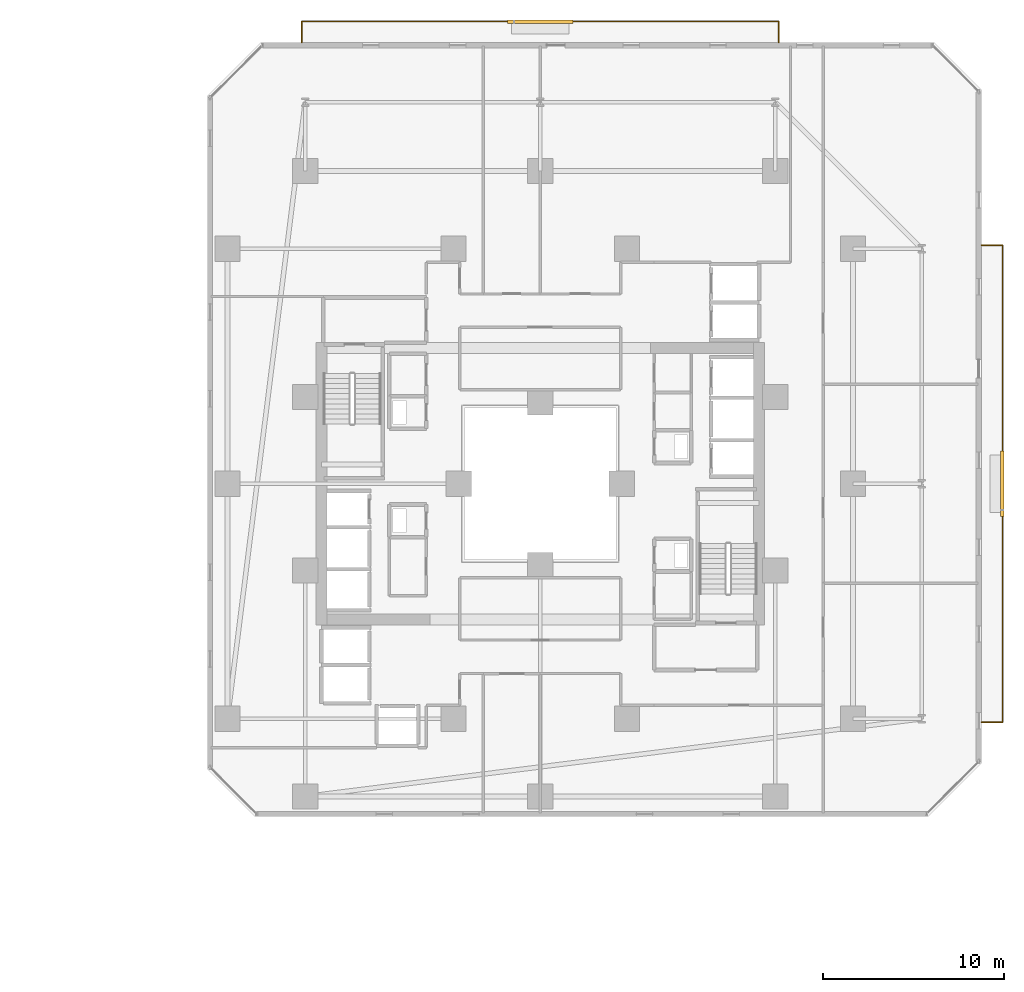
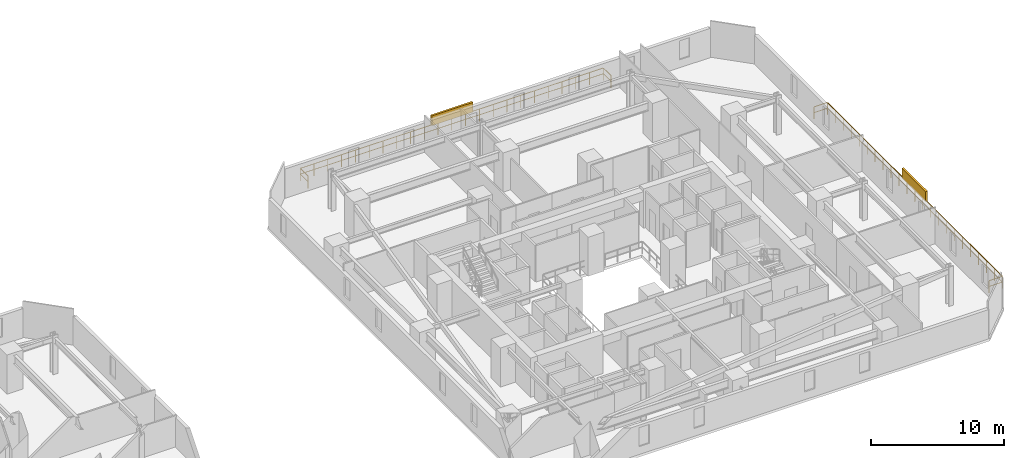
# One storey, part 35 of 35: 2 railings, 2 shading devices.
"""IFC4 building model written with IfcOpenShell, lengths in metres."""

from ifc_helpers import new_model, si_unit, direction, frame, origin, origin_2d, place, context, subcontext, project, spatial, rectangle, extrude, material, type_object, element, save


model = new_model("IFC4")

# Units and contexts
model_context = context("Model", 3, precision=1e-05, world=origin(), true_north=direction((0.0, 1.0)))
body_context = subcontext(model_context, "Body", "Model", "MODEL_VIEW")
ifc_project = project(units=[si_unit("LENGTHUNIT", "METRE"), si_unit("AREAUNIT", "SQUARE_METRE"), si_unit("VOLUMEUNIT", "CUBIC_METRE"), si_unit("PLANEANGLEUNIT", "RADIAN"), si_unit("MASSUNIT", "GRAM", prefix="KILO")], contexts=[model_context])

# Site, building, storey
site_placement = place(None, origin())
site = spatial("IfcSite", under=ifc_project, at=site_placement, CompositionType="ELEMENT")
building_placement = place(site_placement, origin())
building = spatial("IfcBuilding", under=site, at=building_placement, Name="Thornwick Lancets Civic Towers", CompositionType="ELEMENT")
storey_placement = place(building_placement, frame((0.0, 0.0, 64.5)))
storey = spatial("IfcBuildingStorey", under=building, at=storey_placement, Name="L16", CompositionType="ELEMENT", Elevation=64.5)

# Railings
ifc_material_1 = material(Name="Terracotta-capped laminated glass balustrade S355", Category="masonry")
railing_type = type_object("IfcRailingType", Name="RAIL_TERR_GUARD", PredefinedType="GUARDRAIL", material=ifc_material_1)
railing_1_placement = place(storey_placement, frame((112.89990234375, 13.800048828125, 0.0)))
element("IfcRailing", 1, at=railing_1_placement, inside=storey, type_object=railing_type, Name="L16 Tower B Balcony Guard E", PredefinedType="GUARDRAIL", context=body_context, shape_type="SweptSolid", body=[
    extrude(rectangle(XDim=0.048095703125, YDim=0.048095703125, at=origin_2d()), frame((0.0, 0.0, 1.1259765625), z_axis=(1.0, 0.0, 0.0), x_axis=(0.0, 1.0, 0.0)), (0.0, 0.0, 1.0), 1.138916015625),
    extrude(rectangle(XDim=0.0419921875, YDim=0.0419921875, at=origin_2d()), frame((0.03759765625, 0.0, 0.597900390625), z_axis=(1.0, 0.0, 0.0), x_axis=(0.0, 1.0, 0.0)), (0.0, 0.0, 1.0), 1.09521484375),
    extrude(rectangle(XDim=0.048095703125, YDim=0.048095703125, at=origin_2d()), frame((1.170166015625, 0.03125, 1.1259765625), z_axis=(0.0, 1.0, 0.0), x_axis=(-1.0, 0.0, 0.0)), (0.0, 0.0, 1.0), 26.33740234375),
    extrude(rectangle(XDim=0.0419921875, YDim=0.0419921875, at=origin_2d()), frame((1.170166015625, 0.03759765625, 0.597900390625), z_axis=(0.0, 1.0, 0.0), x_axis=(-1.0, 0.0, 0.0)), (0.0, 0.0, 1.0), 1.125),
    extrude(rectangle(XDim=0.0419921875, YDim=0.0419921875, at=origin_2d()), frame((1.170166015625, 1.237548828125, 0.597900390625), z_axis=(0.0, 1.0, 0.0), x_axis=(-1.0, 0.0, 0.0)), (0.0, 0.0, 1.0), 1.125),
    extrude(rectangle(XDim=0.0419921875, YDim=0.0419921875, at=origin_2d()), frame((1.170166015625, 2.4375, 0.597900390625), z_axis=(0.0, 1.0, 0.0), x_axis=(-1.0, 0.0, 0.0)), (0.0, 0.0, 1.0), 1.125),
    extrude(rectangle(XDim=0.0419921875, YDim=0.0419921875, at=origin_2d()), frame((1.170166015625, 3.637451171875, 0.597900390625), z_axis=(0.0, 1.0, 0.0), x_axis=(-1.0, 0.0, 0.0)), (0.0, 0.0, 1.0), 1.125),
    extrude(rectangle(XDim=0.0419921875, YDim=0.0419921875, at=origin_2d()), frame((1.170166015625, 4.83740234375, 0.597900390625), z_axis=(0.0, 1.0, 0.0), x_axis=(-1.0, 0.0, 0.0)), (0.0, 0.0, 1.0), 1.125),
    extrude(rectangle(XDim=0.0419921875, YDim=0.0419921875, at=origin_2d()), frame((1.170166015625, 6.037353515625, 0.597900390625), z_axis=(0.0, 1.0, 0.0), x_axis=(-1.0, 0.0, 0.0)), (0.0, 0.0, 1.0), 1.125),
    extrude(rectangle(XDim=0.0419921875, YDim=0.0419921875, at=origin_2d()), frame((1.170166015625, 7.237548828125, 0.597900390625), z_axis=(0.0, 1.0, 0.0), x_axis=(-1.0, 0.0, 0.0)), (0.0, 0.0, 1.0), 1.125),
    extrude(rectangle(XDim=0.0419921875, YDim=0.0419921875, at=origin_2d()), frame((1.170166015625, 8.4375, 0.597900390625), z_axis=(0.0, 1.0, 0.0), x_axis=(-1.0, 0.0, 0.0)), (0.0, 0.0, 1.0), 1.125),
    extrude(rectangle(XDim=0.0419921875, YDim=0.0419921875, at=origin_2d()), frame((1.170166015625, 9.637451171875, 0.597900390625), z_axis=(0.0, 1.0, 0.0), x_axis=(-1.0, 0.0, 0.0)), (0.0, 0.0, 1.0), 1.125),
    extrude(rectangle(XDim=0.0419921875, YDim=0.0419921875, at=origin_2d()), frame((1.170166015625, 10.83740234375, 0.597900390625), z_axis=(0.0, 1.0, 0.0), x_axis=(-1.0, 0.0, 0.0)), (0.0, 0.0, 1.0), 1.125),
    extrude(rectangle(XDim=0.0419921875, YDim=0.0419921875, at=origin_2d()), frame((1.170166015625, 12.037353515625, 0.597900390625), z_axis=(0.0, 1.0, 0.0), x_axis=(-1.0, 0.0, 0.0)), (0.0, 0.0, 1.0), 1.125),
    extrude(rectangle(XDim=0.0419921875, YDim=0.0419921875, at=origin_2d()), frame((1.170166015625, 13.237548828125, 0.597900390625), z_axis=(0.0, 1.0, 0.0), x_axis=(-1.0, 0.0, 0.0)), (0.0, 0.0, 1.0), 1.125),
    extrude(rectangle(XDim=0.0419921875, YDim=0.0419921875, at=origin_2d()), frame((1.170166015625, 14.4375, 0.597900390625), z_axis=(0.0, 1.0, 0.0), x_axis=(-1.0, 0.0, 0.0)), (0.0, 0.0, 1.0), 1.125),
    extrude(rectangle(XDim=0.0419921875, YDim=0.0419921875, at=origin_2d()), frame((1.170166015625, 15.637451171875, 0.597900390625), z_axis=(0.0, 1.0, 0.0), x_axis=(-1.0, 0.0, 0.0)), (0.0, 0.0, 1.0), 1.125),
    extrude(rectangle(XDim=0.0419921875, YDim=0.0419921875, at=origin_2d()), frame((1.170166015625, 16.83740234375, 0.597900390625), z_axis=(0.0, 1.0, 0.0), x_axis=(-1.0, 0.0, 0.0)), (0.0, 0.0, 1.0), 1.125),
    extrude(rectangle(XDim=0.0419921875, YDim=0.0419921875, at=origin_2d()), frame((1.170166015625, 18.037353515625, 0.597900390625), z_axis=(0.0, 1.0, 0.0), x_axis=(-1.0, 0.0, 0.0)), (0.0, 0.0, 1.0), 1.125),
    extrude(rectangle(XDim=0.0419921875, YDim=0.0419921875, at=origin_2d()), frame((1.170166015625, 19.2373046875, 0.597900390625), z_axis=(0.0, 1.0, 0.0), x_axis=(-1.0, 0.0, 0.0)), (0.0, 0.0, 1.0), 1.125),
    extrude(rectangle(XDim=0.0419921875, YDim=0.0419921875, at=origin_2d()), frame((1.170166015625, 20.4375, 0.597900390625), z_axis=(0.0, 1.0, 0.0), x_axis=(-1.0, 0.0, 0.0)), (0.0, 0.0, 1.0), 1.125),
    extrude(rectangle(XDim=0.0419921875, YDim=0.0419921875, at=origin_2d()), frame((1.170166015625, 21.637451171875, 0.597900390625), z_axis=(0.0, 1.0, 0.0), x_axis=(-1.0, 0.0, 0.0)), (0.0, 0.0, 1.0), 1.125),
    extrude(rectangle(XDim=0.0419921875, YDim=0.0419921875, at=origin_2d()), frame((1.170166015625, 22.83740234375, 0.597900390625), z_axis=(0.0, 1.0, 0.0), x_axis=(-1.0, 0.0, 0.0)), (0.0, 0.0, 1.0), 1.125),
    extrude(rectangle(XDim=0.0419921875, YDim=0.0419921875, at=origin_2d()), frame((1.170166015625, 24.037353515625, 0.597900390625), z_axis=(0.0, 1.0, 0.0), x_axis=(-1.0, 0.0, 0.0)), (0.0, 0.0, 1.0), 1.125),
    extrude(rectangle(XDim=0.0419921875, YDim=0.0419921875, at=origin_2d()), frame((1.170166015625, 25.2373046875, 0.597900390625), z_axis=(0.0, 1.0, 0.0), x_axis=(-1.0, 0.0, 0.0)), (0.0, 0.0, 1.0), 1.125),
    extrude(rectangle(XDim=0.048095703125, YDim=0.048095703125, at=origin_2d()), frame((1.138916015625, 26.39990234375, 1.1259765625), z_axis=(-1.0, 0.0, 0.0), x_axis=(0.0, -1.0, 0.0)), (0.0, 0.0, 1.0), 1.138916015625),
    extrude(rectangle(XDim=0.0419921875, YDim=0.0419921875, at=origin_2d()), frame((1.132568359375, 26.39990234375, 0.597900390625), z_axis=(-1.0, 0.0, 0.0), x_axis=(0.0, -1.0, 0.0)), (0.0, 0.0, 1.0), 1.09521484375),
    extrude(rectangle(XDim=0.0419921875, YDim=0.0419921875, at=origin_2d()), origin(), (0.0, 0.0, 1.0), 1.095703125),
    extrude(rectangle(XDim=0.0419921875, YDim=0.0419921875, at=origin_2d()), frame((1.170166015625, 0.0, 0.0)), (0.0, 0.0, 1.0), 1.095703125),
    extrude(rectangle(XDim=0.0419921875, YDim=0.0419921875, at=origin_2d()), frame((1.170166015625, 1.199951171875, 0.0)), (0.0, 0.0, 1.0), 1.095703125),
    extrude(rectangle(XDim=0.0419921875, YDim=0.0419921875, at=origin_2d()), frame((1.170166015625, 2.39990234375, 0.0)), (0.0, 0.0, 1.0), 1.095703125),
    extrude(rectangle(XDim=0.0419921875, YDim=0.0419921875, at=origin_2d()), frame((1.170166015625, 3.60009765625, 0.0)), (0.0, 0.0, 1.0), 1.095703125),
    extrude(rectangle(XDim=0.0419921875, YDim=0.0419921875, at=origin_2d()), frame((1.170166015625, 4.800048828125, 0.0)), (0.0, 0.0, 1.0), 1.095703125),
    extrude(rectangle(XDim=0.0419921875, YDim=0.0419921875, at=origin_2d()), frame((1.170166015625, 6.0, 0.0)), (0.0, 0.0, 1.0), 1.095703125),
    extrude(rectangle(XDim=0.0419921875, YDim=0.0419921875, at=origin_2d()), frame((1.170166015625, 7.199951171875, 0.0)), (0.0, 0.0, 1.0), 1.095703125),
    extrude(rectangle(XDim=0.0419921875, YDim=0.0419921875, at=origin_2d()), frame((1.170166015625, 8.39990234375, 0.0)), (0.0, 0.0, 1.0), 1.095703125),
    extrude(rectangle(XDim=0.0419921875, YDim=0.0419921875, at=origin_2d()), frame((1.170166015625, 9.599853515625, 0.0)), (0.0, 0.0, 1.0), 1.095703125),
    extrude(rectangle(XDim=0.0419921875, YDim=0.0419921875, at=origin_2d()), frame((1.170166015625, 10.800048828125, 0.0)), (0.0, 0.0, 1.0), 1.095703125),
    extrude(rectangle(XDim=0.0419921875, YDim=0.0419921875, at=origin_2d()), frame((1.170166015625, 12.0, 0.0)), (0.0, 0.0, 1.0), 1.095703125),
    extrude(rectangle(XDim=0.0419921875, YDim=0.0419921875, at=origin_2d()), frame((1.170166015625, 13.199951171875, 0.0)), (0.0, 0.0, 1.0), 1.095703125),
    extrude(rectangle(XDim=0.0419921875, YDim=0.0419921875, at=origin_2d()), frame((1.170166015625, 14.39990234375, 0.0)), (0.0, 0.0, 1.0), 1.095703125),
    extrude(rectangle(XDim=0.0419921875, YDim=0.0419921875, at=origin_2d()), frame((1.170166015625, 15.599853515625, 0.0)), (0.0, 0.0, 1.0), 1.095703125),
    extrude(rectangle(XDim=0.0419921875, YDim=0.0419921875, at=origin_2d()), frame((1.170166015625, 16.800048828125, 0.0)), (0.0, 0.0, 1.0), 1.095703125),
    extrude(rectangle(XDim=0.0419921875, YDim=0.0419921875, at=origin_2d()), frame((1.170166015625, 18.0, 0.0)), (0.0, 0.0, 1.0), 1.095703125),
    extrude(rectangle(XDim=0.0419921875, YDim=0.0419921875, at=origin_2d()), frame((1.170166015625, 19.199951171875, 0.0)), (0.0, 0.0, 1.0), 1.095703125),
    extrude(rectangle(XDim=0.0419921875, YDim=0.0419921875, at=origin_2d()), frame((1.170166015625, 20.39990234375, 0.0)), (0.0, 0.0, 1.0), 1.095703125),
    extrude(rectangle(XDim=0.0419921875, YDim=0.0419921875, at=origin_2d()), frame((1.170166015625, 21.599853515625, 0.0)), (0.0, 0.0, 1.0), 1.095703125),
    extrude(rectangle(XDim=0.0419921875, YDim=0.0419921875, at=origin_2d()), frame((1.170166015625, 22.7998046875, 0.0)), (0.0, 0.0, 1.0), 1.095703125),
    extrude(rectangle(XDim=0.0419921875, YDim=0.0419921875, at=origin_2d()), frame((1.170166015625, 24.0, 0.0)), (0.0, 0.0, 1.0), 1.095703125),
    extrude(rectangle(XDim=0.0419921875, YDim=0.0419921875, at=origin_2d()), frame((1.170166015625, 25.199951171875, 0.0)), (0.0, 0.0, 1.0), 1.095703125),
    extrude(rectangle(XDim=0.0419921875, YDim=0.0419921875, at=origin_2d()), frame((1.170166015625, 26.39990234375, 0.0)), (0.0, 0.0, 1.0), 1.095703125),
    extrude(rectangle(XDim=0.0419921875, YDim=0.0419921875, at=origin_2d()), frame((0.0, 26.39990234375, 0.0)), (0.0, 0.0, 1.0), 1.095703125),
])
railing_2_placement = place(storey_placement, frame((75.300048828125, 51.39990234375, 0.0)))
element("IfcRailing", 2, at=railing_2_placement, inside=storey, type_object=railing_type, Name="L16 Tower B Balcony Guard N", PredefinedType="GUARDRAIL", context=body_context, shape_type="SweptSolid", body=[
    extrude(rectangle(XDim=0.048095703125, YDim=0.048095703125, at=origin_2d()), frame((0.0, 0.0, 1.1259765625), z_axis=(0.0, 1.0, 0.0), x_axis=(-1.0, 0.0, 0.0)), (0.0, 0.0, 1.0), 1.138916015625),
    extrude(rectangle(XDim=0.0419921875, YDim=0.0419921875, at=origin_2d()), frame((0.0, 0.03759765625, 0.597900390625), z_axis=(0.0, 1.0, 0.0), x_axis=(-1.0, 0.0, 0.0)), (0.0, 0.0, 1.0), 1.09521484375),
    extrude(rectangle(XDim=0.048095703125, YDim=0.048095703125, at=origin_2d()), frame((0.03125, 1.170166015625, 1.1259765625), z_axis=(1.0, 0.0, 0.0), x_axis=(0.0, 1.0, 0.0)), (0.0, 0.0, 1.0), 26.33740234375),
    extrude(rectangle(XDim=0.0419921875, YDim=0.0419921875, at=origin_2d()), frame((0.03759765625, 1.170166015625, 0.597900390625), z_axis=(1.0, 0.0, 0.0), x_axis=(0.0, 1.0, 0.0)), (0.0, 0.0, 1.0), 1.125),
    extrude(rectangle(XDim=0.0419921875, YDim=0.0419921875, at=origin_2d()), frame((1.237548828125, 1.170166015625, 0.597900390625), z_axis=(1.0, 0.0, 0.0), x_axis=(0.0, 1.0, 0.0)), (0.0, 0.0, 1.0), 1.125),
    extrude(rectangle(XDim=0.0419921875, YDim=0.0419921875, at=origin_2d()), frame((2.4375, 1.170166015625, 0.597900390625), z_axis=(1.0, 0.0, 0.0), x_axis=(0.0, 1.0, 0.0)), (0.0, 0.0, 1.0), 1.125),
    extrude(rectangle(XDim=0.0419921875, YDim=0.0419921875, at=origin_2d()), frame((3.637451171875, 1.170166015625, 0.597900390625), z_axis=(1.0, 0.0, 0.0), x_axis=(0.0, 1.0, 0.0)), (0.0, 0.0, 1.0), 1.125),
    extrude(rectangle(XDim=0.0419921875, YDim=0.0419921875, at=origin_2d()), frame((4.83740234375, 1.170166015625, 0.597900390625), z_axis=(1.0, 0.0, 0.0), x_axis=(0.0, 1.0, 0.0)), (0.0, 0.0, 1.0), 1.125),
    extrude(rectangle(XDim=0.0419921875, YDim=0.0419921875, at=origin_2d()), frame((6.037353515625, 1.170166015625, 0.597900390625), z_axis=(1.0, 0.0, 0.0), x_axis=(0.0, 1.0, 0.0)), (0.0, 0.0, 1.0), 1.125),
    extrude(rectangle(XDim=0.0419921875, YDim=0.0419921875, at=origin_2d()), frame((7.237548828125, 1.170166015625, 0.597900390625), z_axis=(1.0, 0.0, 0.0), x_axis=(0.0, 1.0, 0.0)), (0.0, 0.0, 1.0), 1.125),
    extrude(rectangle(XDim=0.0419921875, YDim=0.0419921875, at=origin_2d()), frame((8.4375, 1.170166015625, 0.597900390625), z_axis=(1.0, 0.0, 0.0), x_axis=(0.0, 1.0, 0.0)), (0.0, 0.0, 1.0), 1.125),
    extrude(rectangle(XDim=0.0419921875, YDim=0.0419921875, at=origin_2d()), frame((9.637451171875, 1.170166015625, 0.597900390625), z_axis=(1.0, 0.0, 0.0), x_axis=(0.0, 1.0, 0.0)), (0.0, 0.0, 1.0), 1.125),
    extrude(rectangle(XDim=0.0419921875, YDim=0.0419921875, at=origin_2d()), frame((10.83740234375, 1.170166015625, 0.597900390625), z_axis=(1.0, 0.0, 0.0), x_axis=(0.0, 1.0, 0.0)), (0.0, 0.0, 1.0), 1.125),
    extrude(rectangle(XDim=0.0419921875, YDim=0.0419921875, at=origin_2d()), frame((12.037353515625, 1.170166015625, 0.597900390625), z_axis=(1.0, 0.0, 0.0), x_axis=(0.0, 1.0, 0.0)), (0.0, 0.0, 1.0), 1.125),
    extrude(rectangle(XDim=0.0419921875, YDim=0.0419921875, at=origin_2d()), frame((13.237548828125, 1.170166015625, 0.597900390625), z_axis=(1.0, 0.0, 0.0), x_axis=(0.0, 1.0, 0.0)), (0.0, 0.0, 1.0), 1.125),
    extrude(rectangle(XDim=0.0419921875, YDim=0.0419921875, at=origin_2d()), frame((14.4375, 1.170166015625, 0.597900390625), z_axis=(1.0, 0.0, 0.0), x_axis=(0.0, 1.0, 0.0)), (0.0, 0.0, 1.0), 1.125),
    extrude(rectangle(XDim=0.0419921875, YDim=0.0419921875, at=origin_2d()), frame((15.637451171875, 1.170166015625, 0.597900390625), z_axis=(1.0, 0.0, 0.0), x_axis=(0.0, 1.0, 0.0)), (0.0, 0.0, 1.0), 1.125),
    extrude(rectangle(XDim=0.0419921875, YDim=0.0419921875, at=origin_2d()), frame((16.83740234375, 1.170166015625, 0.597900390625), z_axis=(1.0, 0.0, 0.0), x_axis=(0.0, 1.0, 0.0)), (0.0, 0.0, 1.0), 1.125),
    extrude(rectangle(XDim=0.0419921875, YDim=0.0419921875, at=origin_2d()), frame((18.037353515625, 1.170166015625, 0.597900390625), z_axis=(1.0, 0.0, 0.0), x_axis=(0.0, 1.0, 0.0)), (0.0, 0.0, 1.0), 1.125),
    extrude(rectangle(XDim=0.0419921875, YDim=0.0419921875, at=origin_2d()), frame((19.2373046875, 1.170166015625, 0.597900390625), z_axis=(1.0, 0.0, 0.0), x_axis=(0.0, 1.0, 0.0)), (0.0, 0.0, 1.0), 1.125),
    extrude(rectangle(XDim=0.0419921875, YDim=0.0419921875, at=origin_2d()), frame((20.4375, 1.170166015625, 0.597900390625), z_axis=(1.0, 0.0, 0.0), x_axis=(0.0, 1.0, 0.0)), (0.0, 0.0, 1.0), 1.125),
    extrude(rectangle(XDim=0.0419921875, YDim=0.0419921875, at=origin_2d()), frame((21.637451171875, 1.170166015625, 0.597900390625), z_axis=(1.0, 0.0, 0.0), x_axis=(0.0, 1.0, 0.0)), (0.0, 0.0, 1.0), 1.125),
    extrude(rectangle(XDim=0.0419921875, YDim=0.0419921875, at=origin_2d()), frame((22.83740234375, 1.170166015625, 0.597900390625), z_axis=(1.0, 0.0, 0.0), x_axis=(0.0, 1.0, 0.0)), (0.0, 0.0, 1.0), 1.125),
    extrude(rectangle(XDim=0.0419921875, YDim=0.0419921875, at=origin_2d()), frame((24.037353515625, 1.170166015625, 0.597900390625), z_axis=(1.0, 0.0, 0.0), x_axis=(0.0, 1.0, 0.0)), (0.0, 0.0, 1.0), 1.125),
    extrude(rectangle(XDim=0.0419921875, YDim=0.0419921875, at=origin_2d()), frame((25.2373046875, 1.170166015625, 0.597900390625), z_axis=(1.0, 0.0, 0.0), x_axis=(0.0, 1.0, 0.0)), (0.0, 0.0, 1.0), 1.125),
    extrude(rectangle(XDim=0.048095703125, YDim=0.048095703125, at=origin_2d()), frame((26.39990234375, 1.138916015625, 1.1259765625), z_axis=(0.0, -1.0, 0.0), x_axis=(1.0, 0.0, 0.0)), (0.0, 0.0, 1.0), 1.138916015625),
    extrude(rectangle(XDim=0.0419921875, YDim=0.0419921875, at=origin_2d()), frame((26.39990234375, 1.132568359375, 0.597900390625), z_axis=(0.0, -1.0, 0.0), x_axis=(1.0, 0.0, 0.0)), (0.0, 0.0, 1.0), 1.09521484375),
    extrude(rectangle(XDim=0.0419921875, YDim=0.0419921875, at=origin_2d()), origin(), (0.0, 0.0, 1.0), 1.095703125),
    extrude(rectangle(XDim=0.0419921875, YDim=0.0419921875, at=origin_2d()), frame((0.0, 1.170166015625, 0.0)), (0.0, 0.0, 1.0), 1.095703125),
    extrude(rectangle(XDim=0.0419921875, YDim=0.0419921875, at=origin_2d()), frame((1.199951171875, 1.170166015625, 0.0)), (0.0, 0.0, 1.0), 1.095703125),
    extrude(rectangle(XDim=0.0419921875, YDim=0.0419921875, at=origin_2d()), frame((2.39990234375, 1.170166015625, 0.0)), (0.0, 0.0, 1.0), 1.095703125),
    extrude(rectangle(XDim=0.0419921875, YDim=0.0419921875, at=origin_2d()), frame((3.60009765625, 1.170166015625, 0.0)), (0.0, 0.0, 1.0), 1.095703125),
    extrude(rectangle(XDim=0.0419921875, YDim=0.0419921875, at=origin_2d()), frame((4.800048828125, 1.170166015625, 0.0)), (0.0, 0.0, 1.0), 1.095703125),
    extrude(rectangle(XDim=0.0419921875, YDim=0.0419921875, at=origin_2d()), frame((6.0, 1.170166015625, 0.0)), (0.0, 0.0, 1.0), 1.095703125),
    extrude(rectangle(XDim=0.0419921875, YDim=0.0419921875, at=origin_2d()), frame((7.199951171875, 1.170166015625, 0.0)), (0.0, 0.0, 1.0), 1.095703125),
    extrude(rectangle(XDim=0.0419921875, YDim=0.0419921875, at=origin_2d()), frame((8.39990234375, 1.170166015625, 0.0)), (0.0, 0.0, 1.0), 1.095703125),
    extrude(rectangle(XDim=0.0419921875, YDim=0.0419921875, at=origin_2d()), frame((9.599853515625, 1.170166015625, 0.0)), (0.0, 0.0, 1.0), 1.095703125),
    extrude(rectangle(XDim=0.0419921875, YDim=0.0419921875, at=origin_2d()), frame((10.800048828125, 1.170166015625, 0.0)), (0.0, 0.0, 1.0), 1.095703125),
    extrude(rectangle(XDim=0.0419921875, YDim=0.0419921875, at=origin_2d()), frame((12.0, 1.170166015625, 0.0)), (0.0, 0.0, 1.0), 1.095703125),
    extrude(rectangle(XDim=0.0419921875, YDim=0.0419921875, at=origin_2d()), frame((13.199951171875, 1.170166015625, 0.0)), (0.0, 0.0, 1.0), 1.095703125),
    extrude(rectangle(XDim=0.0419921875, YDim=0.0419921875, at=origin_2d()), frame((14.39990234375, 1.170166015625, 0.0)), (0.0, 0.0, 1.0), 1.095703125),
    extrude(rectangle(XDim=0.0419921875, YDim=0.0419921875, at=origin_2d()), frame((15.599853515625, 1.170166015625, 0.0)), (0.0, 0.0, 1.0), 1.095703125),
    extrude(rectangle(XDim=0.0419921875, YDim=0.0419921875, at=origin_2d()), frame((16.800048828125, 1.170166015625, 0.0)), (0.0, 0.0, 1.0), 1.095703125),
    extrude(rectangle(XDim=0.0419921875, YDim=0.0419921875, at=origin_2d()), frame((18.0, 1.170166015625, 0.0)), (0.0, 0.0, 1.0), 1.095703125),
    extrude(rectangle(XDim=0.0419921875, YDim=0.0419921875, at=origin_2d()), frame((19.199951171875, 1.170166015625, 0.0)), (0.0, 0.0, 1.0), 1.095703125),
    extrude(rectangle(XDim=0.0419921875, YDim=0.0419921875, at=origin_2d()), frame((20.39990234375, 1.170166015625, 0.0)), (0.0, 0.0, 1.0), 1.095703125),
    extrude(rectangle(XDim=0.0419921875, YDim=0.0419921875, at=origin_2d()), frame((21.599853515625, 1.170166015625, 0.0)), (0.0, 0.0, 1.0), 1.095703125),
    extrude(rectangle(XDim=0.0419921875, YDim=0.0419921875, at=origin_2d()), frame((22.7998046875, 1.170166015625, 0.0)), (0.0, 0.0, 1.0), 1.095703125),
    extrude(rectangle(XDim=0.0419921875, YDim=0.0419921875, at=origin_2d()), frame((24.0, 1.170166015625, 0.0)), (0.0, 0.0, 1.0), 1.095703125),
    extrude(rectangle(XDim=0.0419921875, YDim=0.0419921875, at=origin_2d()), frame((25.199951171875, 1.170166015625, 0.0)), (0.0, 0.0, 1.0), 1.095703125),
    extrude(rectangle(XDim=0.0419921875, YDim=0.0419921875, at=origin_2d()), frame((26.39990234375, 1.170166015625, 0.0)), (0.0, 0.0, 1.0), 1.095703125),
    extrude(rectangle(XDim=0.0419921875, YDim=0.0419921875, at=origin_2d()), frame((26.39990234375, 0.0, 0.0)), (0.0, 0.0, 1.0), 1.095703125),
])

# Shading devices
ifc_material_2 = material(Name="Extruded terracotta baguette solar screen", Category="masonry")
shading_device_type = type_object("IfcShadingDeviceType", Name="SHADE_BAGUETTE", PredefinedType="JALOUSIE", material=ifc_material_2)
for number, where, z_axis, x_axis, name in (
    (3, (114.06005859375, 27.0, 1.1201171875), (0.0, 0.0, 1.0), (0.0, 1.0, 0.0), "L16 Tower B Terracotta Baguette Screen E"),
    (4, (88.5, 52.56005859375, 1.1201171875), (0.0, 0.0, 1.0), (1.0, 0.0, 0.0), "L16 Tower B Terracotta Baguette Screen N"),
):
    element("IfcShadingDevice", number, at=place(storey_placement, frame(where, z_axis=z_axis, x_axis=x_axis)), inside=storey, type_object=shading_device_type, Name=name, PredefinedType="JALOUSIE", context=body_context, shape_type="SweptSolid", body=[
        extrude(rectangle(XDim=3.60009765625, YDim=0.179931640625, at=origin_2d()), origin(), (0.0, 0.0, 1.0), 0.89990234375),
    ])

save(model, "model.ifc")
